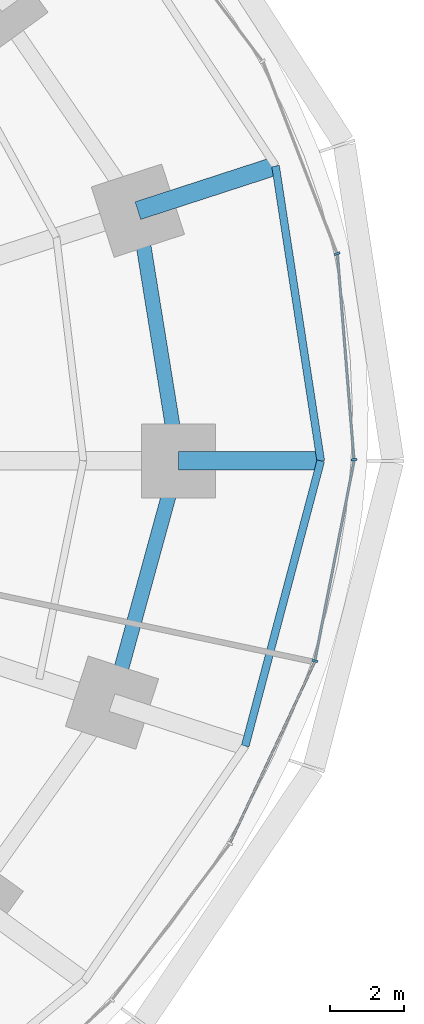
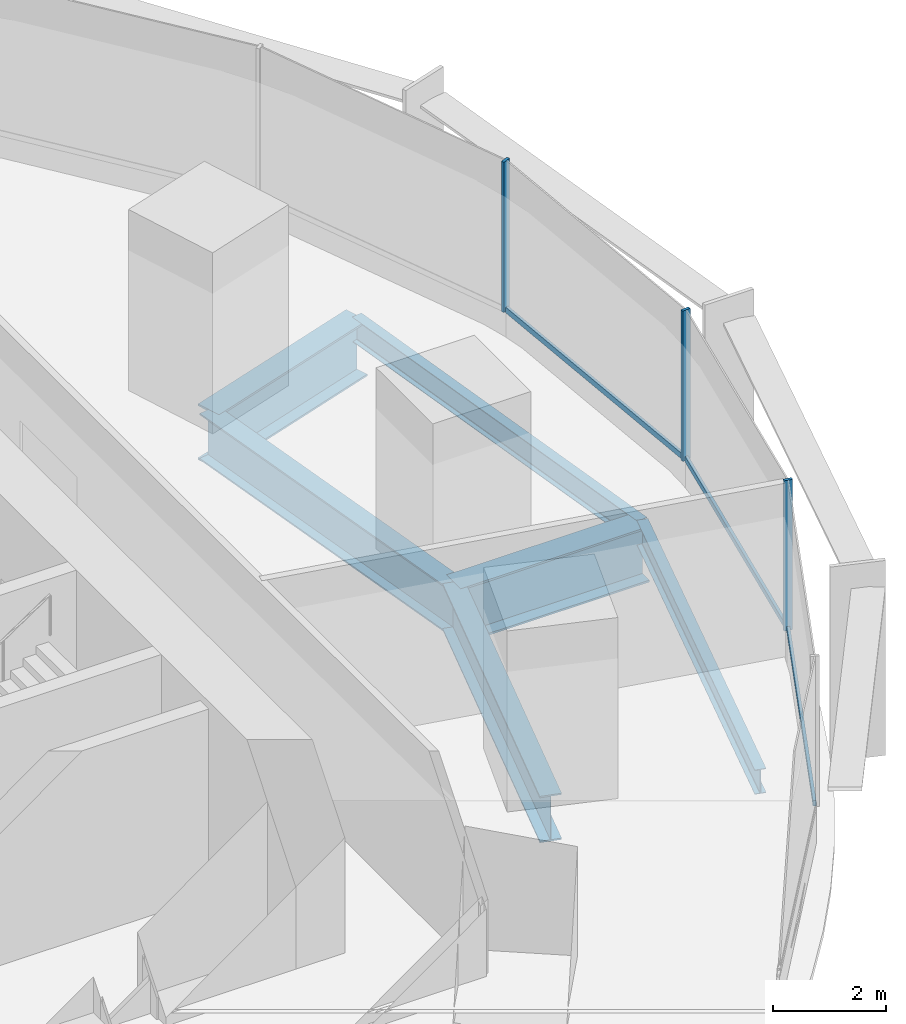
# One storey, part 6 of 15: 6 beams, 6 members, 2 elements without a shape of their own.
"""IFC4 building model written with IfcOpenShell, lengths in metres."""

from ifc_helpers import new_model, si_unit, direction, frame, origin, origin_2d, place, context, subcontext, project, spatial, rectangle, i_section, extrude, material, material_profile, profile_set, type_object, element, aggregate, save


model = new_model("IFC4")

# Units and contexts
model_context = context("Model", 3, precision=1e-05, world=origin(), true_north=direction((0.0, 1.0)))
body_context = subcontext(model_context, "Body", "Model", "MODEL_VIEW")
ifc_project = project(units=[si_unit("LENGTHUNIT", "METRE"), si_unit("AREAUNIT", "SQUARE_METRE"), si_unit("VOLUMEUNIT", "CUBIC_METRE"), si_unit("PLANEANGLEUNIT", "RADIAN"), si_unit("MASSUNIT", "GRAM", prefix="KILO")], contexts=[model_context])

# Site, building, storey
site_placement = place(None, origin())
site = spatial("IfcSite", under=ifc_project, at=site_placement, CompositionType="ELEMENT")
building_placement = place(site_placement, origin())
building = spatial("IfcBuilding", under=site, at=building_placement, Name="Marramba Exchange Tower", CompositionType="ELEMENT")
storey_placement = place(building_placement, frame((0.0, 0.0, 40.60009765625)))
storey = spatial("IfcBuildingStorey", under=building, at=storey_placement, Name="L09", CompositionType="ELEMENT", Elevation=40.60009765625)

# Beams
ifc_material_1 = material(Name="Steel AS/NZS 3679.2 grade 300", Category="steel")
ifc_material_profile_1 = material_profile(ifc_material_1, i_section(OverallWidth=0.5, OverallDepth=1.199951171875, WebThickness=0.01611328125, FlangeThickness=0.0400390625, at=origin_2d()), Name="1200WB455")
ifc_profile_set_1 = profile_set([ifc_material_profile_1], Name="Steel AS/NZS 3679.2 grade 300")
beam_type_1 = type_object("IfcBeamType", Name="Cantilever girder 1200WB455", PredefinedType="BEAM", material=ifc_profile_set_1)
beam_1_placement = place(storey_placement, frame((21.89990234375, 0.0, -0.760009765625), z_axis=(1.0, 0.0, 0.0), x_axis=(0.0, 1.0, 0.0)))
element("IfcBeam", 1, at=beam_1_placement, inside=storey, type_object=beam_type_1, Name="Cantilever girder L09 TC01", PredefinedType="BEAM", context=body_context, shape_type="SweptSolid", body=[
    extrude(i_section(OverallWidth=0.5, OverallDepth=1.199951171875, WebThickness=0.01611328125, FlangeThickness=0.0400390625, at=origin_2d()), origin(), (0.0, 0.0, 1.0), 3.85009765625),
])
beam_2_placement = place(storey_placement, frame((20.808349609375, 6.760986328125, -0.760009765625), z_axis=(0.951058833549, 0.309009862508, 0.0), x_axis=(-0.309009862508, 0.951058833549, 0.0)))
element("IfcBeam", 2, at=beam_2_placement, inside=storey, type_object=beam_type_1, Name="Cantilever girder L09 TC02", PredefinedType="BEAM", context=body_context, shape_type="SweptSolid", body=[
    extrude(i_section(OverallWidth=0.5, OverallDepth=1.199951171875, WebThickness=0.01611328125, FlangeThickness=0.0400390625, at=origin_2d()), origin(), (0.0, 0.0, 1.0), 3.91162109375),
])
ifc_material_profile_2 = material_profile(ifc_material_1, i_section(OverallWidth=0.39990234375, OverallDepth=1.0, WebThickness=0.01611328125, FlangeThickness=0.031982421875, at=origin_2d()), Name="1000WB322")
ifc_profile_set_2 = profile_set([ifc_material_profile_2], Name="Steel AS/NZS 3679.2 grade 300")
beam_type_2 = type_object("IfcBeamType", Name="Ring beam 1000WB322", PredefinedType="SPANDREL", material=ifc_profile_set_2)
beam_3_placement = place(storey_placement, frame((21.89990234375, 0.0, -0.66015625), z_axis=(-0.159384865399, 0.987216523708, 0.0), x_axis=(-0.987216523708, -0.159384865399, 0.0)))
element("IfcBeam", 3, at=beam_3_placement, inside=storey, type_object=beam_type_2, Name="Ring beam L09 TC01-TC02", PredefinedType="SPANDREL", context=body_context, shape_type="SweptSolid", body=[
    extrude(i_section(OverallWidth=0.39990234375, OverallDepth=1.0, WebThickness=0.01611328125, FlangeThickness=0.031982421875, at=origin_2d()), origin(), (0.0, 0.0, 1.0), 6.8486328125),
])
beam_4_placement = place(storey_placement, frame((20.109375, -6.533935546875, -0.66015625), z_axis=(0.264291166956, 0.964442937176, 0.0), x_axis=(-0.964442937176, 0.264291166956, 0.0)))
element("IfcBeam", 4, at=beam_4_placement, inside=storey, type_object=beam_type_2, Name="Ring beam L09 TC20-TC01", PredefinedType="SPANDREL", context=body_context, shape_type="SweptSolid", body=[
    extrude(i_section(OverallWidth=0.39990234375, OverallDepth=1.0, WebThickness=0.01611328125, FlangeThickness=0.031982421875, at=origin_2d()), origin(), (0.0, 0.0, 1.0), 6.77490234375),
])
ifc_material_2 = material(Name="Steel AS/NZS 3679.1 grade 300", Category="steel")
ifc_material_profile_3 = material_profile(ifc_material_2, i_section(OverallWidth=0.208984375, OverallDepth=0.528076171875, WebThickness=0.009521484375, FlangeThickness=0.01318359375, FilletRadius=0.013916015625, at=origin_2d()), Name="530UB82.0")
ifc_profile_set_3 = profile_set([ifc_material_profile_3], Name="Steel AS/NZS 3679.1 grade 300")
beam_type_3 = type_object("IfcBeamType", Name="Slab edge beam 530UB82.0", PredefinedType="SPANDREL", material=ifc_profile_set_3)
beam_5_placement = place(storey_placement, frame((25.75, 0.0, -0.424072265625), z_axis=(-0.151490591645, 0.988458699513, 0.0), x_axis=(-0.988458699513, -0.151490591645, 0.0)))
element("IfcBeam", 5, at=beam_5_placement, inside=storey, type_object=beam_type_3, Name="Slab edge beam L09 TC01-TC02", PredefinedType="SPANDREL", context=body_context, shape_type="SweptSolid", body=[
    extrude(i_section(OverallWidth=0.208984375, OverallDepth=0.528076171875, WebThickness=0.009521484375, FlangeThickness=0.01318359375, FilletRadius=0.013916015625, at=origin_2d()), origin(), (0.0, 0.0, 1.0), 8.062744140625),
])
beam_6_placement = place(storey_placement, frame((23.709716796875, -7.703857421875, -0.424072265625), z_axis=(0.25601296674, 0.966673347549, 0.0), x_axis=(-0.966673347549, 0.25601296674, 0.0)))
element("IfcBeam", 6, at=beam_6_placement, inside=storey, type_object=beam_type_3, Name="Slab edge beam L09 TC20-TC01", PredefinedType="SPANDREL", context=body_context, shape_type="SweptSolid", body=[
    extrude(i_section(OverallWidth=0.208984375, OverallDepth=0.528076171875, WebThickness=0.009521484375, FlangeThickness=0.01318359375, FilletRadius=0.013916015625, at=origin_2d()), origin(), (0.0, 0.0, 1.0), 7.969482421875),
])

# Curtain wall, members
ifc_material_3 = material(Name="Aluminium framing, bronze anodised", Category="aluminium")
curtain_wall_type = type_object("IfcCurtainWallType", Name="Trading floor ribbon curtain wall", PredefinedType="USERDEFINED", material=ifc_material_3)
curtain_wall_1_placement = place(storey_placement, origin())
curtain_wall_1 = element("IfcCurtainWall", 7, at=curtain_wall_1_placement, inside=storey, type_object=curtain_wall_type, Name="Curtain wall CW3 L09 F01-F05", ObjectType="RIBBON CURTAIN WALL", PredefinedType="USERDEFINED")
ifc_material_4 = material(Name="Aluminium mullion, bronze anodised", Category="aluminium")
ifc_material_profile_4 = material_profile(ifc_material_4, rectangle(XDim=0.159912109375, YDim=0.06005859375, at=origin_2d()), Name="CW3 mullion 60x160")
ifc_profile_set_4 = profile_set([ifc_material_profile_4], Name="Aluminium mullion, bronze anodised")
member_type_1 = type_object("IfcMemberType", Name="Trading floor ribbon curtain wall mullion", PredefinedType="MULLION", material=ifc_profile_set_4)
member_1_placement = place(storey_placement, frame((26.647705078125, 0.02978515625, 0.7998046875), z_axis=(0.0, 0.0, 1.0), x_axis=(-0.996772736434, -0.080275225953, 0.0)))
member_1 = element("IfcMember", 8, at=member_1_placement, type_object=member_type_1, Name="CW3 mullion 1", PredefinedType="MULLION", context=body_context, shape_type="SweptSolid", body=[
    extrude(rectangle(XDim=0.159912109375, YDim=0.06005859375, at=origin_2d()), origin(), (0.0, 0.0, 1.0), 3.239990234375),
])
member_2_placement = place(storey_placement, frame((26.190673828125, 5.597412109375, 0.7998046875), z_axis=(0.0, 0.0, 1.0), x_axis=(-0.933135256626, -0.359525510698, 0.0)))
member_2 = element("IfcMember", 9, at=member_2_placement, type_object=member_type_1, Name="CW3 mullion 1", PredefinedType="MULLION", context=body_context, shape_type="SweptSolid", body=[
    extrude(rectangle(XDim=0.159912109375, YDim=0.06005859375, at=origin_2d()), origin(), (0.0, 0.0, 1.0), 3.239990234375),
])

# Curtain wall, member
curtain_wall_2_placement = place(storey_placement, origin())
curtain_wall_2 = element("IfcCurtainWall", 10, at=curtain_wall_2_placement, inside=storey, type_object=curtain_wall_type, Name="Curtain wall CW3 L09 F26-F30", ObjectType="RIBBON CURTAIN WALL", PredefinedType="USERDEFINED")
member_3_placement = place(storey_placement, frame((25.59033203125, -5.40869140625, 0.7998046875), z_axis=(0.0, 0.0, 1.0), x_axis=(-0.981346261612, 0.1922485756, 0.0)))
member_3 = element("IfcMember", 11, at=member_3_placement, type_object=member_type_1, Name="CW3 mullion 1", PredefinedType="MULLION", context=body_context, shape_type="SweptSolid", body=[
    extrude(rectangle(XDim=0.159912109375, YDim=0.06005859375, at=origin_2d()), origin(), (0.0, 0.0, 1.0), 3.239990234375),
])

# Member
ifc_material_5 = material(Name="Aluminium transom, bronze anodised", Category="aluminium")
ifc_material_profile_5 = material_profile(ifc_material_5, rectangle(XDim=0.06005859375, YDim=0.1201171875, at=origin_2d()), Name="CW3 transom 60x120")
ifc_profile_set_5 = profile_set([ifc_material_profile_5], Name="Aluminium transom, bronze anodised")
member_type_2 = type_object("IfcMemberType", Name="Trading floor ribbon curtain wall transom", PredefinedType="USERDEFINED", material=ifc_profile_set_5)
member_4_placement = place(storey_placement, frame((26.645263671875, 0.059814453125, 0.829833984375), z_axis=(-0.080299960686, 0.99677074411, 0.0), x_axis=(-0.99677074411, -0.080299960686, 0.0)))
member_4 = element("IfcMember", 12, at=member_4_placement, type_object=member_type_2, Name="CW3 sill transom", ObjectType="TRANSOM", PredefinedType="USERDEFINED", context=body_context, shape_type="SweptSolid", body=[
    extrude(rectangle(XDim=0.06005859375, YDim=0.1201171875, at=origin_2d()), origin(), (0.0, 0.0, 1.0), 5.52734375),
])

aggregate(curtain_wall_1, [member_1, member_4, member_2])

member_5_placement = place(storey_placement, frame((23.306640625, -10.31103515625, 0.829833984375), z_axis=(0.423511514213, 0.905890720412, 0.0), x_axis=(-0.905890720412, 0.423511514213, 0.0)))
member_5 = element("IfcMember", 13, at=member_5_placement, type_object=member_type_2, Name="CW3 sill transom", ObjectType="TRANSOM", PredefinedType="USERDEFINED", context=body_context, shape_type="SweptSolid", body=[
    extrude(rectangle(XDim=0.06005859375, YDim=0.1201171875, at=origin_2d()), origin(), (0.0, 0.0, 1.0), 5.37890625),
])

member_6_placement = place(storey_placement, frame((25.59619140625, -5.37939453125, 0.829833984375), z_axis=(0.192226081646, 0.981350667975, 0.0), x_axis=(-0.981350667975, 0.192226081646, 0.0)))
member_6 = element("IfcMember", 14, at=member_6_placement, type_object=member_type_2, Name="CW3 sill transom", ObjectType="TRANSOM", PredefinedType="USERDEFINED", context=body_context, shape_type="SweptSolid", body=[
    extrude(rectangle(XDim=0.06005859375, YDim=0.1201171875, at=origin_2d()), origin(), (0.0, 0.0, 1.0), 5.481689453125),
])

aggregate(curtain_wall_2, [member_5, member_3, member_6])

save(model, "model.ifc")
